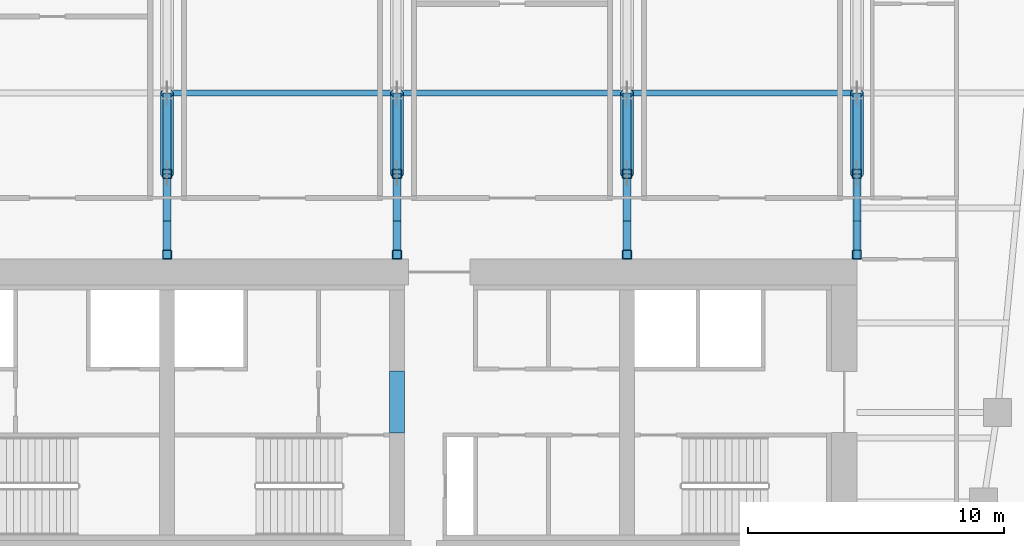
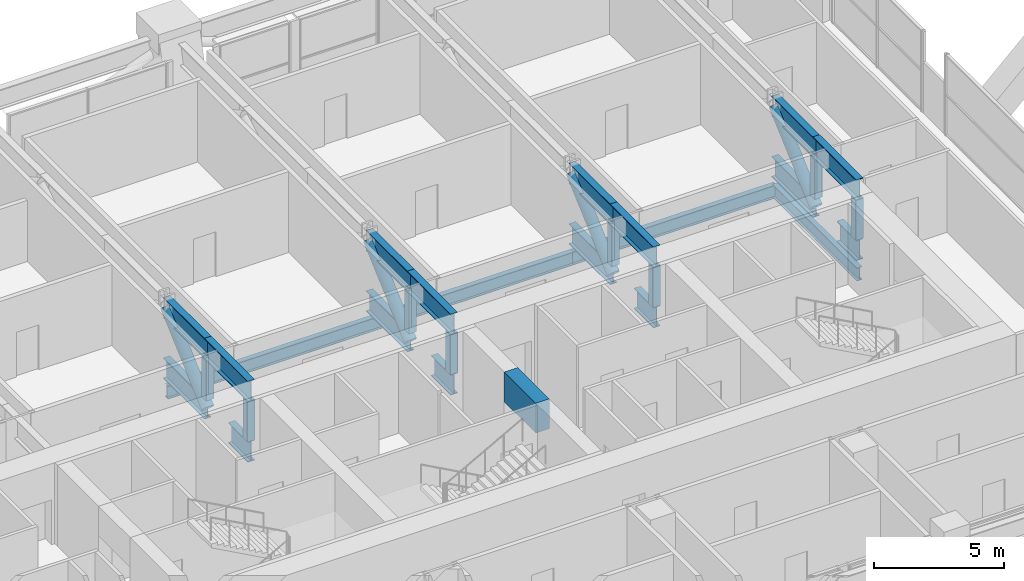
# One storey, part 5 of 27: 28 members, 4 beams.
"""IFC4 building model written with IfcOpenShell, lengths in metres."""

from ifc_helpers import new_model, si_unit, direction, frame, origin, origin_2d, place, context, subcontext, project, spatial, rectangle, hollow_rectangle, hollow_circle, i_section, extrude, material, material_profile, profile_set, type_object, element, save


model = new_model("IFC4")

# Units and contexts
model_context = context("Model", 3, precision=1e-05, world=origin(), true_north=direction((0.0, 1.0)))
body_context = subcontext(model_context, "Body", "Model", "MODEL_VIEW")
ifc_project = project(units=[si_unit("LENGTHUNIT", "METRE"), si_unit("AREAUNIT", "SQUARE_METRE"), si_unit("VOLUMEUNIT", "CUBIC_METRE"), si_unit("PLANEANGLEUNIT", "RADIAN"), si_unit("MASSUNIT", "GRAM", prefix="KILO")], contexts=[model_context])

# Site, building, storey
site_placement = place(None, origin())
site = spatial("IfcSite", under=ifc_project, at=site_placement, CompositionType="ELEMENT")
building_placement = place(site_placement, origin())
building = spatial("IfcBuilding", under=site, at=building_placement, Name="Zellij Exchange Tower", CompositionType="ELEMENT")
storey_placement = place(building_placement, frame((0.0, 0.0, 104.5)))
storey = spatial("IfcBuildingStorey", under=building, at=storey_placement, Name="L22", CompositionType="ELEMENT", Elevation=104.5)

# Beams
ifc_material_1 = material(Name="Concrete C70/85", Category="concrete")
ifc_material_profile_1 = material_profile(ifc_material_1, rectangle(XDim=0.60009765625, YDim=1.39990234375, at=origin_2d()), Name="CORE-CB 600x1400 C70/85")
ifc_profile_set_1 = profile_set([ifc_material_profile_1], Name="Concrete C70/85")
beam_type_1 = type_object("IfcBeamType", Name="CORE-CB 600x1400 C70/85", PredefinedType="BEAM", material=ifc_profile_set_1)
beam_1_placement = place(storey_placement, frame((9.0, -8.800048828125, 3.10009765625), z_axis=(0.0, 1.0, 0.0), x_axis=(-1.0, 0.0, 0.0)))
element("IfcBeam", 1, at=beam_1_placement, inside=storey, type_object=beam_type_1, Name="Core coupling beam x 9 L22", PredefinedType="BEAM", context=body_context, shape_type="SweptSolid", body=[
    extrude(rectangle(XDim=0.60009765625, YDim=1.39990234375, at=origin_2d()), origin(), (0.0, 0.0, 1.0), 2.425048828125),
])
ifc_material_2 = material(Name="Structural steel ASTM A992 Gr 50", Category="steel")
ifc_material_profile_2 = material_profile(ifc_material_2, i_section(OverallWidth=0.22900390625, OverallDepth=0.612060546875, WebThickness=0.011962890625, FlangeThickness=0.01953125, at=origin_2d()), Name="W24x84")
ifc_profile_set_2 = profile_set([ifc_material_profile_2], Name="Structural steel ASTM A992 Gr 50")
beam_type_2 = type_object("IfcBeamType", Name="STR-GIRDER W24x84", PredefinedType="BEAM", material=ifc_profile_set_2)
beam_2_placement = place(storey_placement, frame((0.0, 4.5, -0.656005859375), z_axis=(1.0, 0.0, 0.0), x_axis=(0.0, 1.0, 0.0)))
element("IfcBeam", 2, at=beam_2_placement, inside=storey, type_object=beam_type_2, Name="G4", PredefinedType="BEAM", context=body_context, shape_type="SweptSolid", body=[
    extrude(i_section(OverallWidth=0.22900390625, OverallDepth=0.612060546875, WebThickness=0.011962890625, FlangeThickness=0.01953125, at=origin_2d()), origin(), (0.0, 0.0, 1.0), 18.0),
])
beam_3_placement = place(storey_placement, frame((18.0, 4.5, -0.656005859375), z_axis=(1.0, 0.0, 0.0), x_axis=(0.0, 1.0, 0.0)))
element("IfcBeam", 3, at=beam_3_placement, inside=storey, type_object=beam_type_2, Name="G4", PredefinedType="BEAM", context=body_context, shape_type="SweptSolid", body=[
    extrude(i_section(OverallWidth=0.22900390625, OverallDepth=0.612060546875, WebThickness=0.011962890625, FlangeThickness=0.01953125, at=origin_2d()), origin(), (0.0, 0.0, 1.0), 9.0),
])
beam_4_placement = place(storey_placement, frame((27.0, -2.0, -0.656005859375), z_axis=(0.0, 1.0, 0.0), x_axis=(-1.0, 0.0, 0.0)))
element("IfcBeam", 4, at=beam_4_placement, inside=storey, type_object=beam_type_2, Name="G4", PredefinedType="BEAM", context=body_context, shape_type="SweptSolid", body=[
    extrude(i_section(OverallWidth=0.22900390625, OverallDepth=0.612060546875, WebThickness=0.011962890625, FlangeThickness=0.01953125, at=origin_2d()), origin(), (0.0, 0.0, 1.0), 6.5),
])

# Members
ifc_material_3 = material(Name="Structural steel ASTM A913 Gr 65", Category="steel")
ifc_material_profile_3 = material_profile(ifc_material_3, i_section(OverallWidth=0.2998046875, OverallDepth=0.965087890625, WebThickness=0.01904296875, FlangeThickness=0.0361328125, at=origin_2d()), Name="W40x249")
ifc_profile_set_3 = profile_set([ifc_material_profile_3], Name="Structural steel ASTM A913 Gr 65")
member_type_1 = type_object("IfcMemberType", Name="STR-OUTRIGGER TRUSS CHORD W40x249", PredefinedType="CHORD", material=ifc_profile_set_3)
member_1_placement = place(storey_placement, frame((0.0, -2.0, 3.3173828125), z_axis=(0.0, 1.0, 0.0), x_axis=(-1.0, 0.0, 0.0)))
element("IfcMember", 5, at=member_1_placement, inside=storey, type_object=member_type_1, Name="OT1", PredefinedType="CHORD", context=body_context, shape_type="SweptSolid", body=[
    extrude(i_section(OverallWidth=0.2998046875, OverallDepth=0.965087890625, WebThickness=0.01904296875, FlangeThickness=0.0361328125, at=origin_2d()), origin(), (0.0, 0.0, 1.0), 3.339111328125),
])
member_2_placement = place(storey_placement, frame((0.0, -2.0, 0.482666015625), z_axis=(0.0, 1.0, 0.0), x_axis=(-1.0, 0.0, 0.0)))
element("IfcMember", 6, at=member_2_placement, inside=storey, type_object=member_type_1, Name="OT1", PredefinedType="CHORD", context=body_context, shape_type="SweptSolid", body=[
    extrude(i_section(OverallWidth=0.2998046875, OverallDepth=0.965087890625, WebThickness=0.01904296875, FlangeThickness=0.0361328125, at=origin_2d()), origin(), (0.0, 0.0, 1.0), 1.5),
])
for number, where, z_axis, x_axis, name in (
    (7, (0.0, 1.339111328125, 3.3173828125), (0.0, 1.0, 0.0), (-1.0, 0.0, 0.0), "OT1"),
    (8, (0.0, 1.339111328125, 0.482666015625), (0.0, 1.0, 0.0), (-1.0, 0.0, 0.0), "OT1"),
):
    element("IfcMember", number, at=place(storey_placement, frame(where, z_axis=z_axis, x_axis=x_axis)), inside=storey, type_object=member_type_1, Name=name, PredefinedType="CHORD", context=body_context, shape_type="SweptSolid", body=[
        extrude(i_section(OverallWidth=0.2998046875, OverallDepth=0.965087890625, WebThickness=0.01904296875, FlangeThickness=0.0361328125, at=origin_2d()), origin(), (0.0, 0.0, 1.0), 3.160888671875),
    ])
member_3_placement = place(storey_placement, frame((9.0, -2.0, 3.3173828125), z_axis=(0.0, 1.0, 0.0), x_axis=(-1.0, 0.0, 0.0)))
element("IfcMember", 9, at=member_3_placement, inside=storey, type_object=member_type_1, Name="OT1", PredefinedType="CHORD", context=body_context, shape_type="SweptSolid", body=[
    extrude(i_section(OverallWidth=0.2998046875, OverallDepth=0.965087890625, WebThickness=0.01904296875, FlangeThickness=0.0361328125, at=origin_2d()), origin(), (0.0, 0.0, 1.0), 3.339111328125),
])
member_4_placement = place(storey_placement, frame((9.0, -2.0, 0.482666015625), z_axis=(0.0, 1.0, 0.0), x_axis=(-1.0, 0.0, 0.0)))
element("IfcMember", 10, at=member_4_placement, inside=storey, type_object=member_type_1, Name="OT1", PredefinedType="CHORD", context=body_context, shape_type="SweptSolid", body=[
    extrude(i_section(OverallWidth=0.2998046875, OverallDepth=0.965087890625, WebThickness=0.01904296875, FlangeThickness=0.0361328125, at=origin_2d()), origin(), (0.0, 0.0, 1.0), 1.5),
])
for number, where, z_axis, x_axis, name in (
    (11, (9.0, 1.339111328125, 3.3173828125), (0.0, 1.0, 0.0), (-1.0, 0.0, 0.0), "OT1"),
    (12, (9.0, 1.339111328125, 0.482666015625), (0.0, 1.0, 0.0), (-1.0, 0.0, 0.0), "OT1"),
):
    element("IfcMember", number, at=place(storey_placement, frame(where, z_axis=z_axis, x_axis=x_axis)), inside=storey, type_object=member_type_1, Name=name, PredefinedType="CHORD", context=body_context, shape_type="SweptSolid", body=[
        extrude(i_section(OverallWidth=0.2998046875, OverallDepth=0.965087890625, WebThickness=0.01904296875, FlangeThickness=0.0361328125, at=origin_2d()), origin(), (0.0, 0.0, 1.0), 3.160888671875),
    ])
member_5_placement = place(storey_placement, frame((18.0, -2.0, 3.3173828125), z_axis=(0.0, 1.0, 0.0), x_axis=(-1.0, 0.0, 0.0)))
element("IfcMember", 13, at=member_5_placement, inside=storey, type_object=member_type_1, Name="OT1", PredefinedType="CHORD", context=body_context, shape_type="SweptSolid", body=[
    extrude(i_section(OverallWidth=0.2998046875, OverallDepth=0.965087890625, WebThickness=0.01904296875, FlangeThickness=0.0361328125, at=origin_2d()), origin(), (0.0, 0.0, 1.0), 3.339111328125),
])
member_6_placement = place(storey_placement, frame((18.0, -2.0, 0.482666015625), z_axis=(0.0, 1.0, 0.0), x_axis=(-1.0, 0.0, 0.0)))
element("IfcMember", 14, at=member_6_placement, inside=storey, type_object=member_type_1, Name="OT1", PredefinedType="CHORD", context=body_context, shape_type="SweptSolid", body=[
    extrude(i_section(OverallWidth=0.2998046875, OverallDepth=0.965087890625, WebThickness=0.01904296875, FlangeThickness=0.0361328125, at=origin_2d()), origin(), (0.0, 0.0, 1.0), 1.5),
])
for number, where, z_axis, x_axis, name in (
    (15, (18.0, 1.339111328125, 3.3173828125), (0.0, 1.0, 0.0), (-1.0, 0.0, 0.0), "OT1"),
    (16, (18.0, 1.339111328125, 0.482666015625), (0.0, 1.0, 0.0), (-1.0, 0.0, 0.0), "OT1"),
):
    element("IfcMember", number, at=place(storey_placement, frame(where, z_axis=z_axis, x_axis=x_axis)), inside=storey, type_object=member_type_1, Name=name, PredefinedType="CHORD", context=body_context, shape_type="SweptSolid", body=[
        extrude(i_section(OverallWidth=0.2998046875, OverallDepth=0.965087890625, WebThickness=0.01904296875, FlangeThickness=0.0361328125, at=origin_2d()), origin(), (0.0, 0.0, 1.0), 3.160888671875),
    ])
member_7_placement = place(storey_placement, frame((27.0, -2.0, 3.3173828125), z_axis=(0.0, 1.0, 0.0), x_axis=(-1.0, 0.0, 0.0)))
element("IfcMember", 17, at=member_7_placement, inside=storey, type_object=member_type_1, Name="OT1", PredefinedType="CHORD", context=body_context, shape_type="SweptSolid", body=[
    extrude(i_section(OverallWidth=0.2998046875, OverallDepth=0.965087890625, WebThickness=0.01904296875, FlangeThickness=0.0361328125, at=origin_2d()), origin(), (0.0, 0.0, 1.0), 3.339111328125),
])
member_8_placement = place(storey_placement, frame((27.0, -2.0, 0.482666015625), z_axis=(0.0, 1.0, 0.0), x_axis=(-1.0, 0.0, 0.0)))
element("IfcMember", 18, at=member_8_placement, inside=storey, type_object=member_type_1, Name="OT1", PredefinedType="CHORD", context=body_context, shape_type="SweptSolid", body=[
    extrude(i_section(OverallWidth=0.2998046875, OverallDepth=0.965087890625, WebThickness=0.01904296875, FlangeThickness=0.0361328125, at=origin_2d()), origin(), (0.0, 0.0, 1.0), 1.5),
])
for number, where, z_axis, x_axis, name in (
    (19, (27.0, 1.339111328125, 3.3173828125), (0.0, 1.0, 0.0), (-1.0, 0.0, 0.0), "OT1"),
    (20, (27.0, 1.339111328125, 0.482666015625), (0.0, 1.0, 0.0), (-1.0, 0.0, 0.0), "OT1"),
):
    element("IfcMember", number, at=place(storey_placement, frame(where, z_axis=z_axis, x_axis=x_axis)), inside=storey, type_object=member_type_1, Name=name, PredefinedType="CHORD", context=body_context, shape_type="SweptSolid", body=[
        extrude(i_section(OverallWidth=0.2998046875, OverallDepth=0.965087890625, WebThickness=0.01904296875, FlangeThickness=0.0361328125, at=origin_2d()), origin(), (0.0, 0.0, 1.0), 3.160888671875),
    ])
ifc_material_4 = material(Name="Structural steel ASTM A500 Gr C", Category="steel")
ifc_material_profile_4 = material_profile(ifc_material_4, hollow_circle(Radius=0.25390625, WallThickness=0.01171875, at=origin_2d()), Name="STR-OUTRIGGER TRUSS DIAGONAL HSS20.000x0.500")
ifc_profile_set_4 = profile_set([ifc_material_profile_4], Name="Structural steel ASTM A500 Gr C")
member_type_2 = type_object("IfcMemberType", Name="STR-OUTRIGGER TRUSS DIAGONAL HSS20.000x0.500", PredefinedType="BRACE", material=ifc_profile_set_4)
for number, where, z_axis, x_axis, name in (
    (21, (0.0, 1.339111328125, 0.482666015625), (0.0, 0.744473836996, 0.667651635233), (-1.0, 0.0, 0.0), "OT2"),
    (22, (9.0, 1.339111328125, 0.482666015625), (0.0, 0.744473836996, 0.667651635233), (-1.0, 0.0, 0.0), "OT2"),
    (23, (18.0, 1.339111328125, 0.482666015625), (0.0, 0.744473836996, 0.667651635233), (-1.0, 0.0, 0.0), "OT2"),
    (24, (27.0, 1.339111328125, 0.482666015625), (0.0, 0.744473836996, 0.667651635233), (-1.0, 0.0, 0.0), "OT2"),
):
    element("IfcMember", number, at=place(storey_placement, frame(where, z_axis=z_axis, x_axis=x_axis)), inside=storey, type_object=member_type_2, Name=name, PredefinedType="BRACE", context=body_context, shape_type="SweptSolid", body=[
        extrude(hollow_circle(Radius=0.25390625, WallThickness=0.01171875, at=origin_2d()), origin(), (0.0, 0.0, 1.0), 4.245849609375),
    ])
ifc_material_profile_5 = material_profile(ifc_material_4, hollow_rectangle(XDim=0.355712890625, YDim=0.355712890625, WallThickness=0.01171875, InnerFilletRadius=0.01171875, OuterFilletRadius=0.023681640625, at=origin_2d()), Name="STR-OUTRIGGER TRUSS POST HSS14x14x1/2")
ifc_profile_set_5 = profile_set([ifc_material_profile_5], Name="Structural steel ASTM A500 Gr C")
member_type_3 = type_object("IfcMemberType", Name="STR-OUTRIGGER TRUSS POST HSS14x14x1/2", PredefinedType="POST", material=ifc_profile_set_5)
for number, where, z_axis, x_axis, name in (
    (25, (0.0, -1.822265625, 0.965087890625), (0.0, 0.0, 1.0), (1.0, 0.0, 0.0), "OT3"),
    (26, (0.0, 1.339111328125, 0.965087890625), (0.0, 0.0, 1.0), (1.0, 0.0, 0.0), "OT3"),
    (27, (9.0, -1.822265625, 0.965087890625), (0.0, 0.0, 1.0), (1.0, 0.0, 0.0), "OT3"),
    (28, (9.0, 1.339111328125, 0.965087890625), (0.0, 0.0, 1.0), (1.0, 0.0, 0.0), "OT3"),
    (29, (18.0, -1.822265625, 0.965087890625), (0.0, 0.0, 1.0), (1.0, 0.0, 0.0), "OT3"),
    (30, (18.0, 1.339111328125, 0.965087890625), (0.0, 0.0, 1.0), (1.0, 0.0, 0.0), "OT3"),
    (31, (27.0, -1.822265625, 0.965087890625), (0.0, 0.0, 1.0), (1.0, 0.0, 0.0), "OT3"),
    (32, (27.0, 1.339111328125, 0.965087890625), (0.0, 0.0, 1.0), (1.0, 0.0, 0.0), "OT3"),
):
    element("IfcMember", number, at=place(storey_placement, frame(where, z_axis=z_axis, x_axis=x_axis)), inside=storey, type_object=member_type_3, Name=name, PredefinedType="POST", context=body_context, shape_type="SweptSolid", body=[
        extrude(hollow_rectangle(XDim=0.355712890625, YDim=0.355712890625, WallThickness=0.01171875, InnerFilletRadius=0.01171875, OuterFilletRadius=0.023681640625, at=origin_2d()), origin(), (0.0, 0.0, 1.0), 1.86962890625),
    ])

save(model, "model.ifc")
